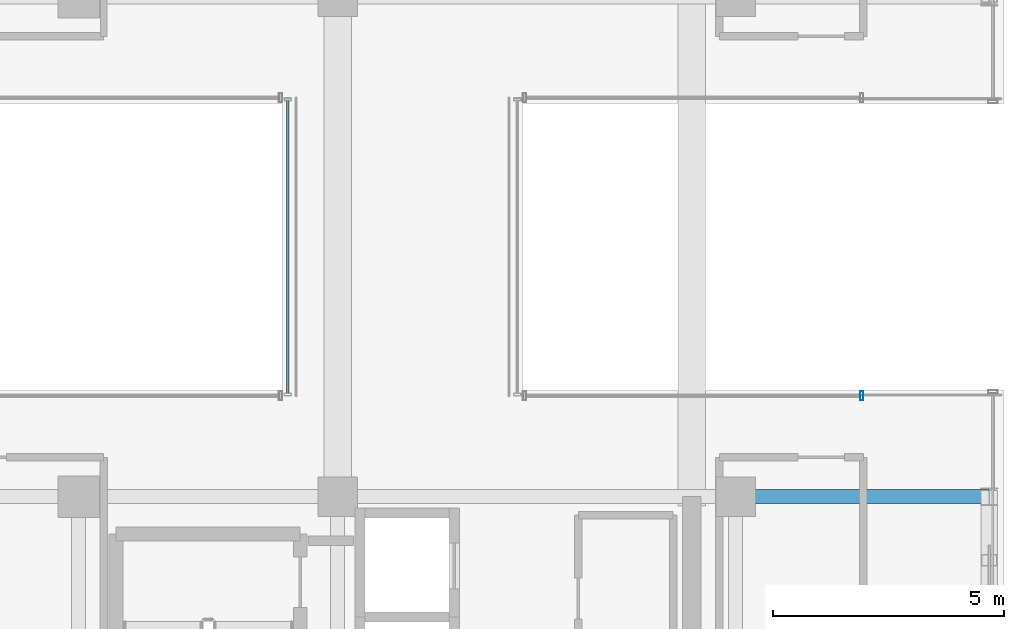
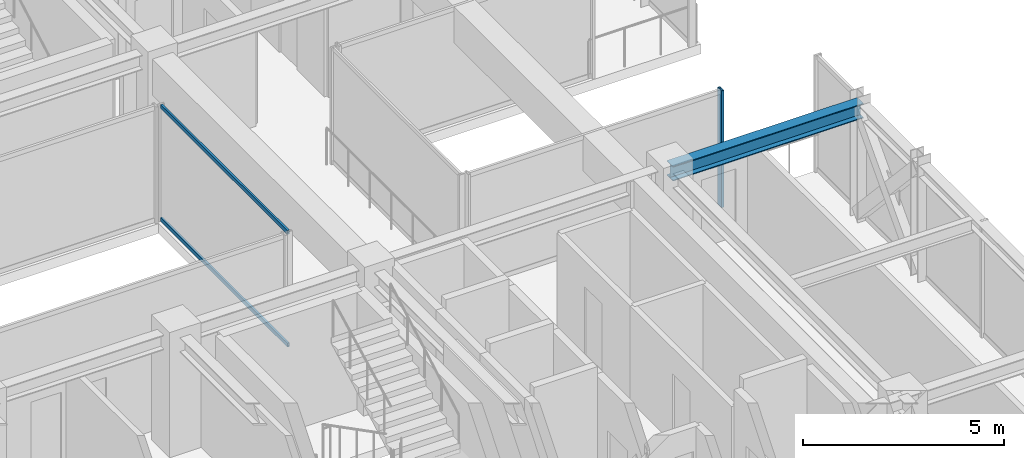
# One storey, part 18 of 37: 3 members, 1 beam, 2 elements without a shape of their own.
"""IFC4 building model written with IfcOpenShell, lengths in metres."""

from ifc_helpers import new_model, si_unit, direction, frame, origin, origin_2d, place, context, subcontext, project, spatial, hollow_rectangle, i_section, extrude, source, transform, mapped, material, material_profile, profile_set, type_object, element, aggregate, save


model = new_model("IFC4")

# Units and contexts
model_context = context("Model", 3, precision=1e-05, world=origin(), true_north=direction((0.0, 1.0)))
body_context = subcontext(model_context, "Body", "Model", "MODEL_VIEW")
ifc_project = project(units=[si_unit("LENGTHUNIT", "METRE"), si_unit("AREAUNIT", "SQUARE_METRE"), si_unit("VOLUMEUNIT", "CUBIC_METRE"), si_unit("PLANEANGLEUNIT", "RADIAN"), si_unit("MASSUNIT", "GRAM", prefix="KILO")], contexts=[model_context])

# Site, building, storey
site_placement = place(None, origin())
site = spatial("IfcSite", under=ifc_project, at=site_placement, CompositionType="ELEMENT")
building_placement = place(site_placement, origin())
building = spatial("IfcBuilding", under=site, at=building_placement, Name="Nahalor Promenade Grand Hotel", CompositionType="ELEMENT")
storey_placement = place(building_placement, frame((0.0, 0.0, 292.64990234375)))
storey = spatial("IfcBuildingStorey", under=building, at=storey_placement, Name="L75", CompositionType="ELEMENT", Elevation=292.64990234375)

# Beam
ifc_material_1 = material(Name="Steel S355JR", Category="steel")
ifc_material_profile_1 = material_profile(ifc_material_1, i_section(OverallWidth=0.3, OverallDepth=0.45, WebThickness=0.014, FlangeThickness=0.026, at=origin_2d()), Name="HEB 450")
ifc_profile_set_1 = profile_set([ifc_material_profile_1], Name="Steel S355JR")
beam_type = type_object("IfcBeamType", Name="Beam-Girder-HEB450", PredefinedType="BEAM", material=ifc_profile_set_1)
shared_shape_1 = source(origin(), body_context, "Body", "SweptSolid", [
    extrude(i_section(OverallWidth=0.3, OverallDepth=0.45, WebThickness=0.014, FlangeThickness=0.026, at=origin_2d()), origin(), (0.0, 0.0, 1.0), 5.47998046875),
])
beam_placement = place(storey_placement, frame((17.0, -5.39990234375, 3.3251953125), z_axis=(1.0, 0.0, 0.0), x_axis=(0.0, 1.0, 0.0)))
element("IfcBeam", 1, at=beam_placement, inside=storey, type_object=beam_type, Name="BM-L75-GX-1-6", PredefinedType="BEAM", context=body_context, shape_type="MappedRepresentation", body=[
    mapped(shared_shape_1, transform((0.0, 0.0, 0.0), scale=1.0)),
])

# Curtain wall, members
ifc_material_2 = material(Name="Anodised Bronze Aluminium EN AW-6063 T6", Category="aluminium")
curtain_wall_type_1 = type_object("IfcCurtainWallType", Name="CW4 Low-Iron Sky-Gallery Bridge Curtain Wall", PredefinedType="USERDEFINED", material=ifc_material_2)
curtain_wall_1_placement = place(storey_placement, origin())
curtain_wall_1 = element("IfcCurtainWall", 2, at=curtain_wall_1_placement, inside=storey, type_object=curtain_wall_type_1, Name="L75 Curtain Wall CW-L75-BRG-W", ObjectType="UNITISED_CURTAIN_WALL", PredefinedType="USERDEFINED")
ifc_material_profile_2 = material_profile(ifc_material_2, hollow_rectangle(XDim=0.06, YDim=0.12, WallThickness=0.004, at=origin_2d()), Name="CWT 60x120x4")
ifc_profile_set_2 = profile_set([ifc_material_profile_2], Name="Anodised Bronze Aluminium EN AW-6063 T6")
member_type_1 = type_object("IfcMemberType", Name="CWT4 Sky-Gallery Slim Transom 60x120", PredefinedType="USERDEFINED", material=ifc_profile_set_2)
shared_shape_2 = source(origin(), body_context, "Body", "SweptSolid", [
    extrude(hollow_rectangle(XDim=0.06, YDim=0.12, WallThickness=0.004, at=origin_2d()), origin(), (0.0, 0.0, 1.0), 6.31982421875),
])
member_1_placement = place(storey_placement, frame((7.320068359375, -3.159912109375, 0.06005859375), z_axis=(0.0, 1.0, 0.0), x_axis=(-1.0, 0.0, 0.0)))
member_1 = element("IfcMember", 3, at=member_1_placement, type_object=member_type_1, Name="CW-L75-BRG-W Transom 0-0", ObjectType="TRANSOM", PredefinedType="USERDEFINED", context=body_context, shape_type="MappedRepresentation", body=[
    mapped(shared_shape_2, transform((0.0, 0.0, 0.0), scale=1.0)),
])
member_2_placement = place(storey_placement, frame((7.320068359375, -3.159912109375, 3.489990234375), z_axis=(0.0, 1.0, 0.0), x_axis=(-1.0, 0.0, 0.0)))
member_2 = element("IfcMember", 4, at=member_2_placement, type_object=member_type_1, Name="CW-L75-BRG-W Transom 0-1", ObjectType="TRANSOM", PredefinedType="USERDEFINED", context=body_context, shape_type="MappedRepresentation", body=[
    mapped(shared_shape_2, transform((0.0, 0.0, 0.0), scale=1.0)),
])
aggregate(curtain_wall_1, [member_1, member_2])

# Curtain wall, member
curtain_wall_type_2 = type_object("IfcCurtainWallType", Name="CW3 Elliptical-Void Collar Unitised Curtain Wall", PredefinedType="USERDEFINED", material=ifc_material_2)
curtain_wall_2_placement = place(storey_placement, origin())
curtain_wall_2 = element("IfcCurtainWall", 5, at=curtain_wall_2_placement, inside=storey, type_object=curtain_wall_type_2, Name="L75 Curtain Wall CW-L75-VOID-ES1", ObjectType="UNITISED_CURTAIN_WALL", PredefinedType="USERDEFINED")
ifc_material_profile_3 = material_profile(ifc_material_2, hollow_rectangle(XDim=0.07, YDim=0.2, WallThickness=0.005, at=origin_2d()), Name="CWM 70x200x5")
ifc_profile_set_3 = profile_set([ifc_material_profile_3], Name="Anodised Bronze Aluminium EN AW-6063 T6")
member_type_2 = type_object("IfcMemberType", Name="CWM3 Void Collar Mullion 70x200", PredefinedType="MULLION", material=ifc_profile_set_3)
shared_shape_3 = source(origin(), body_context, "Body", "SweptSolid", [
    extrude(hollow_rectangle(XDim=0.07, YDim=0.2, WallThickness=0.005, at=origin_2d()), origin(), (0.0, 0.0, 1.0), 3.550048828125),
])
member_3_placement = place(storey_placement, frame((19.72509765625, -3.219970703125, 0.0), z_axis=(0.0, 0.0, 1.0), x_axis=(1.0, 0.0, 0.0)))
member_3 = element("IfcMember", 6, at=member_3_placement, type_object=member_type_2, Name="CW-L75-VOID-ES1 Mullion 1", PredefinedType="MULLION", context=body_context, shape_type="MappedRepresentation", body=[
    mapped(shared_shape_3, transform((0.0, 0.0, 0.0), scale=1.0)),
])
aggregate(curtain_wall_2, [member_3])

save(model, "model.ifc")
